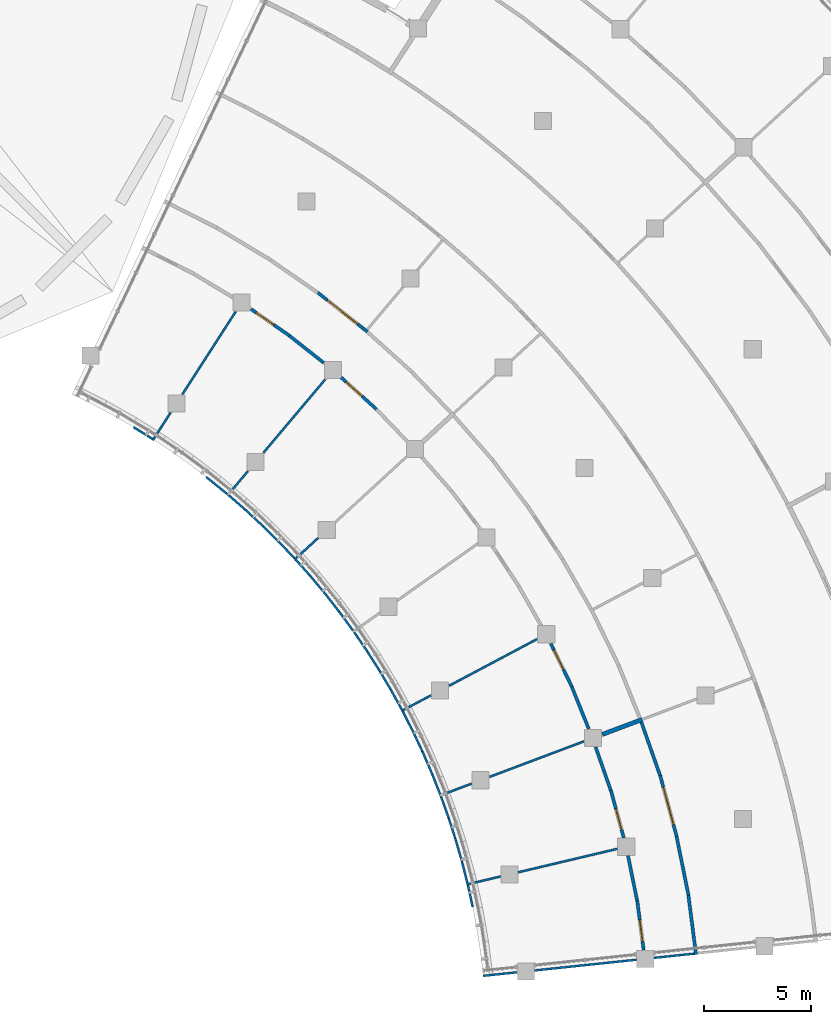
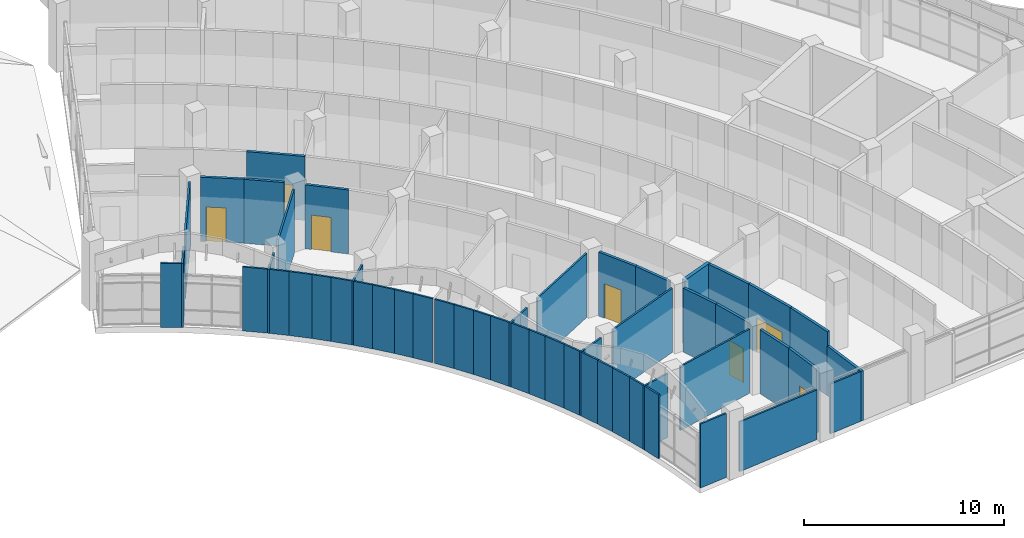
# One storey, part 65 of 137: 52 walls, 7 doors, 7 openings.
"""IFC4 building model written with IfcOpenShell, lengths in metres."""

from ifc_helpers import new_model, si_unit, direction, frame, frame_2d, origin, place, context, subcontext, project, spatial, rectangle, extrude, material, layer, layer_set, type_object, element, fill, save


model = new_model("IFC4")

# Units and contexts
model_context = context("Model", 3, precision=1e-05, world=origin(), true_north=direction((0.0, 1.0)))
body_context = subcontext(model_context, "Body", "Model", "MODEL_VIEW")
ifc_project = project(units=[si_unit("LENGTHUNIT", "METRE"), si_unit("AREAUNIT", "SQUARE_METRE"), si_unit("VOLUMEUNIT", "CUBIC_METRE"), si_unit("PLANEANGLEUNIT", "RADIAN"), si_unit("MASSUNIT", "GRAM", prefix="KILO")], contexts=[model_context])

# Site, building, storey
site_placement = place(None, origin())
site = spatial("IfcSite", under=ifc_project, at=site_placement, CompositionType="ELEMENT")
building_placement = place(site_placement, origin())
building = spatial("IfcBuilding", under=site, at=building_placement, Name="Bougainvillea Quay General Hospital", CompositionType="ELEMENT")
storey_placement = place(building_placement, frame((0.0, 0.0, 16.800048828125)))
storey = spatial("IfcBuildingStorey", under=building, at=storey_placement, Name="L03", CompositionType="ELEMENT", Elevation=16.800048828125)

# Walls
ifc_material_1 = material(Name="Gypsum board partition on steel studs", Category="steel")
ifc_layer_1 = layer(ifc_material_1, 0.10009765625)
ifc_layer_set_1 = layer_set([ifc_layer_1], Name="Gypsum board partition on steel studs")
wall_type_1 = type_object("IfcWallType", Name="Partition 100 Gypsum board partition EI 30", PredefinedType="PARTITIONING", material=ifc_layer_set_1)
wall_1_placement = place(storey_placement, frame((131.078857421875, 47.959716796875, 0.0), z_axis=(0.0, 0.0, 1.0), x_axis=(0.644403525256, 0.764685619479, 0.0)))
element("IfcWall", 1, at=wall_1_placement, inside=storey, type_object=wall_type_1, Name="Partition 100 mm EI 30", PredefinedType="PARTITIONING", context=body_context, shape_type="SweptSolid", body=[
    extrude(rectangle(XDim=1.48779296875, YDim=0.10009765625, at=frame_2d((0.743896484375, 0.0))), origin(), (0.0, 0.0, 1.0), 3.89990234375),
])
wall_2_placement = place(storey_placement, frame((132.762451171875, 49.957763671875, 0.0), z_axis=(0.0, 0.0, 1.0), x_axis=(0.644429680937, 0.76466357722, 0.0)))
element("IfcWall", 2, at=wall_2_placement, inside=storey, type_object=wall_type_1, Name="Partition 100 mm EI 30", PredefinedType="PARTITIONING", context=body_context, shape_type="SweptSolid", body=[
    extrude(rectangle(XDim=4.475341796875, YDim=0.10009765625, at=frame_2d((2.23779296875, 0.0))), origin(), (0.0, 0.0, 1.0), 3.89990234375),
])
wall_3_placement = place(storey_placement, frame((127.596923828125, 50.532958984375, 0.0), z_axis=(0.0, 0.0, 1.0), x_axis=(0.541741092646, 0.840545411348, 0.0)))
element("IfcWall", 3, at=wall_3_placement, inside=storey, type_object=wall_type_1, Name="Partition 100 mm EI 30", PredefinedType="PARTITIONING", context=body_context, shape_type="SweptSolid", body=[
    extrude(rectangle(XDim=1.542724609375, YDim=0.10009765625, at=frame_2d((0.771484375, 0.0))), origin(), (0.0, 0.0, 1.0), 3.89990234375),
])
wall_4_placement = place(storey_placement, frame((128.982666015625, 52.6826171875, 0.0), z_axis=(0.0, 0.0, 1.0), x_axis=(0.541806664818, 0.840503145716, 0.0)))
element("IfcWall", 4, at=wall_4_placement, inside=storey, type_object=wall_type_1, Name="Partition 100 mm EI 30", PredefinedType="PARTITIONING", context=body_context, shape_type="SweptSolid", body=[
    extrude(rectangle(XDim=4.58544921875, YDim=0.10009765625, at=frame_2d((2.292724609375, 0.0))), origin(), (0.0, 0.0, 1.0), 3.89990234375),
])
wall_5_placement = place(storey_placement, frame((142.2373046875, 29.819580078125, 0.0), z_axis=(0.0, 0.0, 1.0), x_axis=(0.973152848226, 0.230159800984, 0.0)))
element("IfcWall", 5, at=wall_5_placement, inside=storey, type_object=wall_type_1, Name="Partition 100 mm EI 30", PredefinedType="PARTITIONING", context=body_context, shape_type="SweptSolid", body=[
    extrude(rectangle(XDim=1.627197265625, YDim=0.10009765625, at=frame_2d((0.8134765625, 0.0))), origin(), (0.0, 0.0, 1.0), 3.89990234375),
])
wall_6_placement = place(storey_placement, frame((144.643310546875, 30.388916015625, 0.0), z_axis=(0.0, 0.0, 1.0), x_axis=(0.973139038387, 0.230218183398, 0.0)))
element("IfcWall", 6, at=wall_6_placement, inside=storey, type_object=wall_type_1, Name="Partition 100 mm EI 30", PredefinedType="PARTITIONING", context=body_context, shape_type="SweptSolid", body=[
    extrude(rectangle(XDim=4.755126953125, YDim=0.10009765625, at=frame_2d((2.37744140625, 0.0))), origin(), (0.0, 0.0, 1.0), 3.89990234375),
])
wall_7_placement = place(storey_placement, frame((139.19287109375, 37.90771484375, 0.0), z_axis=(0.0, 0.0, 1.0), x_axis=(0.883481589726, 0.468465879884, 0.0)))
element("IfcWall", 7, at=wall_7_placement, inside=storey, type_object=wall_type_1, Name="Partition 100 mm EI 30", PredefinedType="PARTITIONING", context=body_context, shape_type="SweptSolid", body=[
    extrude(rectangle(XDim=1.5712890625, YDim=0.10009765625, at=frame_2d((0.78564453125, 0.0))), origin(), (0.0, 0.0, 1.0), 3.89990234375),
])
wall_8_placement = place(storey_placement, frame((141.427001953125, 39.092529296875, 0.0), z_axis=(0.0, 0.0, 1.0), x_axis=(0.88344099274, 0.46854243388, 0.0)))
element("IfcWall", 8, at=wall_8_placement, inside=storey, type_object=wall_type_1, Name="Partition 100 mm EI 30", PredefinedType="PARTITIONING", context=body_context, shape_type="SweptSolid", body=[
    extrude(rectangle(XDim=4.64208984375, YDim=0.10009765625, at=frame_2d((2.321044921875, 0.0))), origin(), (0.0, 0.0, 1.0), 3.89990234375),
])
wall_9_placement = place(storey_placement, frame((143.012939453125, 25.555908203125, 0.0), z_axis=(0.0, 0.0, 1.0), x_axis=(0.994495375694, 0.104780473964, 0.0)))
element("IfcWall", 9, at=wall_9_placement, inside=storey, type_object=wall_type_1, Name="Partition 100 mm EI 30", PredefinedType="PARTITIONING", context=body_context, shape_type="SweptSolid", body=[
    extrude(rectangle(XDim=1.59375, YDim=0.10009765625, at=frame_2d((0.796875, 0.0))), origin(), (0.0, 0.0, 1.0), 3.89990234375),
])
wall_10_placement = place(storey_placement, frame((145.408203125, 25.80810546875, 0.0), z_axis=(0.0, 0.0, 1.0), x_axis=(0.994509645665, 0.104644945786, 0.0)))
element("IfcWall", 10, at=wall_10_placement, inside=storey, type_object=wall_type_1, Name="Partition 100 mm EI 30", PredefinedType="PARTITIONING", context=body_context, shape_type="SweptSolid", body=[
    extrude(rectangle(XDim=4.78515625, YDim=0.10009765625, at=frame_2d((2.392578125, 0.0))), origin(), (0.0, 0.0, 1.0), 3.0302734375),
])
wall_11_placement = place(storey_placement, frame((140.97314453125, 33.96044921875, 0.0), z_axis=(0.0, 0.0, 1.0), x_axis=(0.935890679388, 0.35229055655, 0.0)))
element("IfcWall", 11, at=wall_11_placement, inside=storey, type_object=wall_type_1, Name="Partition 100 mm EI 30", PredefinedType="PARTITIONING", context=body_context, shape_type="SweptSolid", body=[
    extrude(rectangle(XDim=1.604248046875, YDim=0.10009765625, at=frame_2d((0.80224609375, 0.0))), origin(), (0.0, 0.0, 1.0), 3.89990234375),
])
wall_12_placement = place(storey_placement, frame((143.309326171875, 34.839599609375, 0.0), z_axis=(0.0, 0.0, 1.0), x_axis=(0.935891610639, 0.352288082591, 0.0)))
element("IfcWall", 12, at=wall_12_placement, inside=storey, type_object=wall_type_1, Name="Partition 100 mm EI 30", PredefinedType="PARTITIONING", context=body_context, shape_type="SweptSolid", body=[
    extrude(rectangle(XDim=4.708251953125, YDim=0.10009765625, at=frame_2d((2.35400390625, 0.0))), origin(), (0.0, 0.0, 1.0), 3.89990234375),
])
wall_13_placement = place(storey_placement, frame((134.205078125, 44.964111328125, 0.0), z_axis=(0.0, 0.0, 1.0), x_axis=(0.736497059378, 0.676440745023, 0.0)))
element("IfcWall", 13, at=wall_13_placement, inside=storey, type_object=wall_type_1, Name="Partition 100 mm EI 30", PredefinedType="PARTITIONING", context=body_context, shape_type="SweptSolid", body=[
    extrude(rectangle(XDim=1.51220703125, YDim=0.10009765625, at=frame_2d((0.756103515625, 0.0))), origin(), (0.0, 0.0, 1.0), 3.89990234375),
])
wall_14_placement = place(storey_placement, frame((150.97705078125, 26.39404296875, 0.0), z_axis=(0.0, 0.0, 1.0), x_axis=(0.99450757419, 0.104664630505, 0.0)))
element("IfcWall", 14, at=wall_14_placement, inside=storey, type_object=wall_type_1, Name="Partition 100 mm EI 30", PredefinedType="PARTITIONING", context=body_context, shape_type="SweptSolid", body=[
    extrude(rectangle(XDim=1.891845703125, YDim=0.10009765625, at=frame_2d((0.94580078125, 0.0))), origin(), (0.0, 0.0, 1.0), 3.030517578125),
])
wall_15_placement = place(storey_placement, frame((130.090087890625, 48.825927734375, 0.0), z_axis=(0.0, 0.0, 1.0), x_axis=(0.776627985422, -0.629959500492, 0.0)))
element("IfcWall", 15, at=wall_15_placement, inside=storey, type_object=wall_type_1, Name="Partition 100 mm EI 30", PredefinedType="PARTITIONING", context=body_context, shape_type="SweptSolid", body=[
    extrude(rectangle(XDim=1.263427734375, YDim=0.10009765625, at=frame_2d((0.6318359375, 0.0))), origin(), (0.0, 0.0, 1.0), 3.89990234375),
])
wall_16_placement = place(storey_placement, frame((139.260009765625, 37.8857421875, 0.0), z_axis=(0.0, 0.0, 1.0), x_axis=(0.454222477174, -0.890888287738, 0.0)))
element("IfcWall", 16, at=wall_16_placement, inside=storey, type_object=wall_type_1, Name="Partition 100 mm EI 30", PredefinedType="PARTITIONING", context=body_context, shape_type="SweptSolid", body=[
    extrude(rectangle(XDim=1.084716796875, YDim=0.10009765625, at=frame_2d((0.54248046875, 0.0))), origin(), (0.0, 0.0, 1.0), 3.89990234375),
])
wall_17_placement = place(storey_placement, frame((141.705078125, 31.97314453125, 0.0), z_axis=(0.0, 0.0, 1.0), x_axis=(0.276407300439, -0.961040584088, 0.0)))
element("IfcWall", 17, at=wall_17_placement, inside=storey, type_object=wall_type_1, Name="Partition 100 mm EI 30", PredefinedType="PARTITIONING", context=body_context, shape_type="SweptSolid", body=[
    extrude(rectangle(XDim=1.185302734375, YDim=0.10009765625, at=frame_2d((0.5927734375, 0.0))), origin(), (0.0, 0.0, 1.0), 3.89990234375),
])
wall_18_placement = place(storey_placement, frame((126.702880859375, 51.14892578125, 0.0), z_axis=(0.0, 0.0, 1.0), x_axis=(0.848687049906, -0.528895350067, 0.0)))
element("IfcWall", 18, at=wall_18_placement, inside=storey, type_object=wall_type_1, Name="Partition 100 mm EI 30", PredefinedType="PARTITIONING", context=body_context, shape_type="SweptSolid", body=[
    extrude(rectangle(XDim=1.034423828125, YDim=0.10009765625, at=frame_2d((0.51708984375, 0.0))), origin(), (0.0, 0.0, 1.0), 3.89990234375),
])
for number, where, z_axis, x_axis, name in (
    (19, (133.460693359375, 45.8212890625, 0.0), (0.0, 0.0, 1.0), (0.688400207225, -0.725331065578, 0.0), "Partition 100 mm EI 30"),
    (20, (136.99365234375, 41.58203125, 0.0), (0.0, 0.0, 1.0), (0.564070256428, -0.825726798532, 0.0), "Partition 100 mm EI 30"),
):
    element("IfcWall", number, at=place(storey_placement, frame(where, z_axis=z_axis, x_axis=x_axis)), inside=storey, type_object=wall_type_1, Name=name, PredefinedType="PARTITIONING", context=body_context, shape_type="SweptSolid", body=[
        extrude(rectangle(XDim=1.084228515625, YDim=0.10009765625, at=frame_2d((0.5419921875, 0.0))), origin(), (0.0, 0.0, 1.0), 3.89990234375),
    ])
wall_19_placement = place(storey_placement, frame((134.930908203125, 44.226318359375, 0.0), z_axis=(0.0, 0.0, 1.0), x_axis=(0.639778970268, -0.768558956231, 0.0)))
element("IfcWall", 21, at=wall_19_placement, inside=storey, type_object=wall_type_1, Name="Partition 100 mm EI 30", PredefinedType="PARTITIONING", context=body_context, shape_type="SweptSolid", body=[
    extrude(rectangle(XDim=1.184814453125, YDim=0.10009765625, at=frame_2d((0.59228515625, 0.0))), origin(), (0.0, 0.0, 1.0), 3.89990234375),
])
wall_20_placement = place(storey_placement, frame((137.60302734375, 40.68701171875, 0.0), z_axis=(0.0, 0.0, 1.0), x_axis=(0.53747146193, -0.843281938388, 0.0)))
element("IfcWall", 22, at=wall_20_placement, inside=storey, type_object=wall_type_1, Name="Partition 100 mm EI 30", PredefinedType="PARTITIONING", context=body_context, shape_type="SweptSolid", body=[
    extrude(rectangle(XDim=1.08642578125, YDim=0.10009765625, at=frame_2d((0.543212890625, 0.0))), origin(), (0.0, 0.0, 1.0), 3.89990234375),
])
for number, where, z_axis, x_axis, name in (
    (23, (138.68896484375, 38.9248046875, 0.0), (0.0, 0.0, 1.0), (0.482886802116, -0.875682782942, 0.0), "Partition 100 mm EI 30"),
    (24, (136.29541015625, 42.540283203125, 0.0), (0.0, 0.0, 1.0), (0.590044821415, -0.807370490371, 0.0), "Partition 100 mm EI 30"),
):
    element("IfcWall", number, at=place(storey_placement, frame(where, z_axis=z_axis, x_axis=x_axis)), inside=storey, type_object=wall_type_1, Name=name, PredefinedType="PARTITIONING", context=body_context, shape_type="SweptSolid", body=[
        extrude(rectangle(XDim=1.083984375, YDim=0.10009765625, at=frame_2d((0.5419921875, 0.0))), origin(), (0.0, 0.0, 1.0), 3.89990234375),
    ])
for number, where, z_axis, x_axis, name in (
    (25, (140.172119140625, 36.02880859375, 0.0), (0.0, 0.0, 1.0), (0.396479436871, -0.918043602526, 0.0), "Partition 100 mm EI 30"),
    (26, (131.892333984375, 47.320068359375, 0.0), (0.0, 0.0, 1.0), (0.732793491626, -0.680451099367, 0.0), "Partition 100 mm EI 30"),
):
    element("IfcWall", number, at=place(storey_placement, frame(where, z_axis=z_axis, x_axis=x_axis)), inside=storey, type_object=wall_type_1, Name=name, PredefinedType="PARTITIONING", context=body_context, shape_type="SweptSolid", body=[
        extrude(rectangle(XDim=1.184814453125, YDim=0.10009765625, at=frame_2d((0.59228515625, 0.0))), origin(), (0.0, 0.0, 1.0), 3.89990234375),
    ])
wall_21_placement = place(storey_placement, frame((132.75830078125, 46.513916015625, 0.0), z_axis=(0.0, 0.0, 1.0), x_axis=(0.710804317615, -0.703389808043, 0.0)))
element("IfcWall", 27, at=wall_21_placement, inside=storey, type_object=wall_type_1, Name="Partition 100 mm EI 30", PredefinedType="PARTITIONING", context=body_context, shape_type="SweptSolid", body=[
    extrude(rectangle(XDim=0.98779296875, YDim=0.10009765625, at=frame_2d((0.493896484375, 0.0))), origin(), (0.0, 0.0, 1.0), 3.89990234375),
])
wall_22_placement = place(storey_placement, frame((140.639892578125, 34.94189453125, 0.0), z_axis=(0.0, 0.0, 1.0), x_axis=(0.366901413892, -0.93025983063, 0.0)))
element("IfcWall", 28, at=wall_22_placement, inside=storey, type_object=wall_type_1, Name="Partition 100 mm EI 30", PredefinedType="PARTITIONING", context=body_context, shape_type="SweptSolid", body=[
    extrude(rectangle(XDim=0.985595703125, YDim=0.10009765625, at=frame_2d((0.49267578125, 0.0))), origin(), (0.0, 0.0, 1.0), 3.89990234375),
])
wall_23_placement = place(storey_placement, frame((141.037109375, 33.93017578125, 0.0), z_axis=(0.0, 0.0, 1.0), x_axis=(0.337434932816, -0.941348854631, 0.0)))
element("IfcWall", 29, at=wall_23_placement, inside=storey, type_object=wall_type_1, Name="Partition 100 mm EI 30", PredefinedType="PARTITIONING", context=body_context, shape_type="SweptSolid", body=[
    extrude(rectangle(XDim=1.083740234375, YDim=0.10009765625, at=frame_2d((0.5419921875, 0.0))), origin(), (0.0, 0.0, 1.0), 3.89990234375),
])
wall_24_placement = place(storey_placement, frame((131.1494140625, 47.964599609375, 0.0), z_axis=(0.0, 0.0, 1.0), x_axis=(0.75424788942, -0.656589766373, 0.0)))
element("IfcWall", 30, at=wall_24_placement, inside=storey, type_object=wall_type_1, Name="Partition 100 mm EI 30", PredefinedType="PARTITIONING", context=body_context, shape_type="SweptSolid", body=[
    extrude(rectangle(XDim=0.98486328125, YDim=0.10009765625, at=frame_2d((0.492431640625, 0.0))), origin(), (0.0, 0.0, 1.0), 3.89990234375),
])
wall_25_placement = place(storey_placement, frame((134.27587890625, 44.960205078125, 0.0), z_axis=(0.0, 0.0, 1.0), x_axis=(0.66477897218, -0.747040104779, 0.0)))
element("IfcWall", 31, at=wall_25_placement, inside=storey, type_object=wall_type_1, Name="Partition 100 mm EI 30", PredefinedType="PARTITIONING", context=body_context, shape_type="SweptSolid", body=[
    extrude(rectangle(XDim=0.9853515625, YDim=0.10009765625, at=frame_2d((0.49267578125, 0.0))), origin(), (0.0, 0.0, 1.0), 3.89990234375),
])
wall_26_placement = place(storey_placement, frame((141.40087890625, 32.910888671875, 0.0), z_axis=(0.0, 0.0, 1.0), x_axis=(0.307089469025, -0.951680649175, 0.0)))
element("IfcWall", 32, at=wall_26_placement, inside=storey, type_object=wall_type_1, Name="Partition 100 mm EI 30", PredefinedType="PARTITIONING", context=body_context, shape_type="SweptSolid", body=[
    extrude(rectangle(XDim=0.9873046875, YDim=0.10009765625, at=frame_2d((0.49365234375, 0.0))), origin(), (0.0, 0.0, 1.0), 3.89990234375),
])
wall_27_placement = place(storey_placement, frame((142.031005859375, 30.8349609375, 0.0), z_axis=(0.0, 0.0, 1.0), x_axis=(0.246091023995, -0.969246721898, 0.0)))
element("IfcWall", 33, at=wall_27_placement, inside=storey, type_object=wall_type_1, Name="Partition 100 mm EI 30", PredefinedType="PARTITIONING", context=body_context, shape_type="SweptSolid", body=[
    extrude(rectangle(XDim=0.985107421875, YDim=0.10009765625, at=frame_2d((0.49267578125, 0.0))), origin(), (0.0, 0.0, 1.0), 3.89990234375),
])
wall_28_placement = place(storey_placement, frame((139.750732421875, 36.920166015625, 0.0), z_axis=(0.0, 0.0, 1.0), x_axis=(0.426023266387, -0.904712206448, 0.0)))
element("IfcWall", 34, at=wall_28_placement, inside=storey, type_object=wall_type_1, Name="Partition 100 mm EI 30", PredefinedType="PARTITIONING", context=body_context, shape_type="SweptSolid", body=[
    extrude(rectangle(XDim=0.9873046875, YDim=0.10009765625, at=frame_2d((0.49365234375, 0.0))), origin(), (0.0, 0.0, 1.0), 3.89990234375),
])
wall_29_placement = place(storey_placement, frame((142.296875, 29.781494140625, 0.0), z_axis=(0.0, 0.0, 1.0), x_axis=(0.214929366895, -0.976629595725, 0.0)))
element("IfcWall", 35, at=wall_29_placement, inside=storey, type_object=wall_type_1, Name="Partition 100 mm EI 30", PredefinedType="PARTITIONING", context=body_context, shape_type="SweptSolid", body=[
    extrude(rectangle(XDim=1.03369140625, YDim=0.10009765625, at=frame_2d((0.516845703125, 0.0))), origin(), (0.0, 0.0, 1.0), 3.89990234375),
])
wall_30_placement = place(storey_placement, frame((135.68701171875, 43.31591796875, 0.0), z_axis=(0.0, 0.0, 1.0), x_axis=(0.615941497949, -0.787791895811, 0.0)))
element("IfcWall", 36, at=wall_30_placement, inside=storey, type_object=wall_type_1, Name="Partition 100 mm EI 30", PredefinedType="PARTITIONING", context=body_context, shape_type="SweptSolid", body=[
    extrude(rectangle(XDim=0.9873046875, YDim=0.10009765625, at=frame_2d((0.49365234375, 0.0))), origin(), (0.0, 0.0, 1.0), 3.89990234375),
])
wall_31_placement = place(storey_placement, frame((138.184814453125, 39.771240234375, 0.0), z_axis=(0.0, 0.0, 1.0), x_axis=(0.51019570921, -0.860058334245, 0.0)))
element("IfcWall", 37, at=wall_31_placement, inside=storey, type_object=wall_type_1, Name="Partition 100 mm EI 30", PredefinedType="PARTITIONING", context=body_context, shape_type="SweptSolid", body=[
    extrude(rectangle(XDim=0.98681640625, YDim=0.10009765625, at=frame_2d((0.493408203125, 0.0))), origin(), (0.0, 0.0, 1.0), 3.89990234375),
])

# Wall, opening, door
ifc_material_2 = material(Name="Gypsum board partition on steel studs, insulated", Category="steel")
ifc_layer_2 = layer(ifc_material_2, 0.14990234375)
ifc_layer_set_2 = layer_set([ifc_layer_2], Name="Gypsum board partition on steel studs, insulated")
wall_type_2 = type_object("IfcWallType", Name="Partition 150 Gypsum board partition EI 30", PredefinedType="PARTITIONING", material=ifc_layer_set_2)
wall_32_placement = place(storey_placement, frame((135.293212890625, 57.430419921875, 0.0), z_axis=(0.0, 0.0, 1.0), x_axis=(0.785039104315, -0.619446208073, 0.0)))
wall_32 = element("IfcWall", 38, at=wall_32_placement, inside=storey, type_object=wall_type_2, Name="Partition 150 mm EI 30", PredefinedType="PARTITIONING", context=body_context, shape_type="SweptSolid", body=[
    extrude(rectangle(XDim=2.95751953125, YDim=0.14990234375, at=frame_2d((1.478759765625, 0.0))), origin(), (0.0, 0.0, 1.0), 3.89990234375),
])
opening_1_placement = place(wall_32_placement, frame((0.57861328125, 0.0, 0.0)))
opening_1 = element("IfcOpeningElement", 39, at=opening_1_placement, cuts=wall_32, Name="Opening L03.148", PredefinedType="OPENING", context=body_context, shape_type="SweptSolid", body=[
    extrude(rectangle(XDim=1.800048828125, YDim=2.10009765625, at=frame_2d((0.89990234375, 1.050048828125))), frame((0.0, 0.0849609375, 0.0), z_axis=(0.0, -1.0, 0.0), x_axis=(1.0, 0.0, 0.0)), (0.0, 0.0, 1.0), 0.169921875),
])
ifc_material_3 = material(Name="Solid-core timber door leaves in steel frame", Category="steel")
door_type_1 = type_object("IfcDoorType", Name="Double leaf door 1800x2100", OperationType="DOUBLE_DOOR_SINGLE_SWING", PredefinedType="DOOR", material=ifc_material_3)
door_1_placement = place(opening_1_placement, frame((1.800048828125, 0.0, 0.0), z_axis=(0.0, 0.0, 1.0), x_axis=(-1.0, 0.0, 0.0)))
door_1 = element("IfcDoor", 40, at=door_1_placement, inside=storey, type_object=door_type_1, Name="DT08 L03.148", OperationType="DOUBLE_DOOR_SINGLE_SWING", OverallHeight=2.10009765625, OverallWidth=1.800048828125, PredefinedType="DOOR", context=body_context, shape_type="SweptSolid", body=[
    extrude(rectangle(XDim=1.800048828125, YDim=2.10009765625, at=frame_2d((0.89990234375, 1.050048828125))), frame((0.0, 0.02490234375, 0.0), z_axis=(0.0, -1.0, 0.0), x_axis=(1.0, 0.0, 0.0)), (0.0, 0.0, 1.0), 0.050048828125),
])
fill(opening_1, door_1)

wall_33_placement = place(storey_placement, frame((151.264404296875, 34.91650390625, 0.0), z_axis=(0.0, 0.0, 1.0), x_axis=(0.261098222271, -0.965312238774, 0.0)))
wall_33 = element("IfcWall", 41, at=wall_33_placement, inside=storey, type_object=wall_type_2, Name="Partition 150 mm EI 30", PredefinedType="PARTITIONING", context=body_context, shape_type="SweptSolid", body=[
    extrude(rectangle(XDim=2.95751953125, YDim=0.14990234375, at=frame_2d((1.478759765625, 0.0))), origin(), (0.0, 0.0, 1.0), 3.89990234375),
])
opening_2_placement = place(wall_33_placement, frame((0.57861328125, 0.0, 0.0)))
opening_2 = element("IfcOpeningElement", 42, at=opening_2_placement, cuts=wall_33, Name="Opening L03.150", PredefinedType="OPENING", context=body_context, shape_type="SweptSolid", body=[
    extrude(rectangle(XDim=1.800048828125, YDim=2.10009765625, at=frame_2d((0.89990234375, 1.050048828125))), frame((0.0, 0.0849609375, 0.0), z_axis=(0.0, -1.0, 0.0), x_axis=(1.0, 0.0, 0.0)), (0.0, 0.0, 1.0), 0.169921875),
])
door_2_placement = place(opening_2_placement, frame((1.800048828125, 0.0, 0.0), z_axis=(0.0, 0.0, 1.0), x_axis=(-1.0, 0.0, 0.0)))
door_2 = element("IfcDoor", 43, at=door_2_placement, inside=storey, type_object=door_type_1, Name="DT08 L03.150", OperationType="DOUBLE_DOOR_SINGLE_SWING", OverallHeight=2.10009765625, OverallWidth=1.800048828125, PredefinedType="DOOR", context=body_context, shape_type="SweptSolid", body=[
    extrude(rectangle(XDim=1.800048828125, YDim=2.10009765625, at=frame_2d((0.89990234375, 1.050048828125))), frame((0.0, 0.02490234375, 0.0), z_axis=(0.0, -1.0, 0.0), x_axis=(1.0, 0.0, 0.0)), (0.0, 0.0, 1.0), 0.050048828125),
])
fill(opening_2, door_2)

# Walls
wall_34_placement = place(storey_placement, frame((152.031005859375, 32.06494140625, 0.0), z_axis=(0.0, 0.0, 1.0), x_axis=(0.199104225367, -0.979978319883, 0.0)))
element("IfcWall", 44, at=wall_34_placement, inside=storey, type_object=wall_type_2, Name="Partition 150 mm EI 30", PredefinedType="PARTITIONING", context=body_context, shape_type="SweptSolid", body=[
    extrude(rectangle(XDim=2.811767578125, YDim=0.14990234375, at=frame_2d((1.40576171875, 0.0))), origin(), (0.0, 0.0, 1.0), 3.89990234375),
])
wall_35_placement = place(storey_placement, frame((152.5849609375, 29.313720703125, 0.0), z_axis=(0.0, 0.0, 1.0), x_axis=(0.127582082385, -0.991828015462, 0.0)))
element("IfcWall", 45, at=wall_35_placement, inside=storey, type_object=wall_type_2, Name="Partition 150 mm EI 30", PredefinedType="PARTITIONING", context=body_context, shape_type="SweptSolid", body=[
    extrude(rectangle(XDim=2.7861328125, YDim=0.14990234375, at=frame_2d((1.39306640625, 0.0))), origin(), (0.0, 0.0, 1.0), 3.030517578125),
])
wall_36_placement = place(storey_placement, frame((150.3896484375, 37.39599609375, 0.0), z_axis=(0.0, 0.0, 1.0), x_axis=(0.330759074405, -0.943715229663, 0.0)))
element("IfcWall", 46, at=wall_36_placement, inside=storey, type_object=wall_type_2, Name="Partition 150 mm EI 30", PredefinedType="PARTITIONING", context=body_context, shape_type="SweptSolid", body=[
    extrude(rectangle(XDim=2.63427734375, YDim=0.14990234375, at=frame_2d((1.317138671875, 0.0))), origin(), (0.0, 0.0, 1.0), 3.89990234375),
])

# Wall, opening, door
wall_37_placement = place(storey_placement, frame((146.162841796875, 41.059814453125, 0.0), z_axis=(0.0, 0.0, 1.0), x_axis=(0.439946079235, -0.898024190858, 0.0)))
wall_37 = element("IfcWall", 47, at=wall_37_placement, inside=storey, type_object=wall_type_2, Name="Partition 150 mm EI 30", PredefinedType="PARTITIONING", context=body_context, shape_type="SweptSolid", body=[
    extrude(rectangle(XDim=2.24853515625, YDim=0.14990234375, at=frame_2d((1.124267578125, 0.0))), origin(), (0.0, 0.0, 1.0), 3.89990234375),
])
opening_3_placement = place(wall_37_placement, frame((0.345947265625, 0.0, 0.0)))
opening_3 = element("IfcOpeningElement", 48, at=opening_3_placement, cuts=wall_37, Name="Opening L03.194", PredefinedType="OPENING", context=body_context, shape_type="SweptSolid", body=[
    extrude(rectangle(XDim=1.0, YDim=2.10009765625, at=frame_2d((0.5, 1.050048828125))), frame((0.0, 0.0849609375, 0.0), z_axis=(0.0, -1.0, 0.0), x_axis=(1.0, 0.0, 0.0)), (0.0, 0.0, 1.0), 0.169921875),
])
ifc_material_4 = material(Name="Solid-core timber door leaf in steel frame", Category="steel")
door_type_2 = type_object("IfcDoorType", Name="Single leaf door 1000x2100 FD30S", OperationType="NOTDEFINED", PredefinedType="DOOR", material=ifc_material_4)
door_3_placement = place(opening_3_placement, frame((1.0, 0.0, 0.0), z_axis=(0.0, 0.0, 1.0), x_axis=(-1.0, 0.0, 0.0)))
door_3 = element("IfcDoor", 49, at=door_3_placement, inside=storey, type_object=door_type_2, Name="DT15 L03.194", OperationType="SINGLE_SWING_RIGHT", OverallHeight=2.10009765625, OverallWidth=1.0, PredefinedType="DOOR", context=body_context, shape_type="SweptSolid", body=[
    extrude(rectangle(XDim=1.0, YDim=2.10009765625, at=frame_2d((0.5, 1.050048828125))), frame((0.0, 0.02490234375, 0.0), z_axis=(0.0, -1.0, 0.0), x_axis=(1.0, 0.0, 0.0)), (0.0, 0.0, 1.0), 0.050048828125),
])
fill(opening_3, door_3)

wall_38_placement = place(storey_placement, frame((136.39306640625, 53.464599609375, 0.0), z_axis=(0.0, 0.0, 1.0), x_axis=(0.743617683722, -0.668605070618, 0.0)))
wall_38 = element("IfcWall", 50, at=wall_38_placement, inside=storey, type_object=wall_type_2, Name="Partition 150 mm EI 30", PredefinedType="PARTITIONING", context=body_context, shape_type="SweptSolid", body=[
    extrude(rectangle(XDim=2.213134765625, YDim=0.14990234375, at=frame_2d((1.1064453125, 0.0))), origin(), (0.0, 0.0, 1.0), 3.89990234375),
])
opening_4_placement = place(wall_38_placement, frame((0.310791015625, 0.0, 0.0)))
opening_4 = element("IfcOpeningElement", 51, at=opening_4_placement, cuts=wall_38, Name="Opening L03.190", PredefinedType="OPENING", context=body_context, shape_type="SweptSolid", body=[
    extrude(rectangle(XDim=1.0, YDim=2.10009765625, at=frame_2d((0.5, 1.050048828125))), frame((0.0, 0.0849609375, 0.0), z_axis=(0.0, -1.0, 0.0), x_axis=(1.0, 0.0, 0.0)), (0.0, 0.0, 1.0), 0.169921875),
])
door_4_placement = place(opening_4_placement, frame((1.0, 0.0, 0.0), z_axis=(0.0, 0.0, 1.0), x_axis=(-1.0, 0.0, 0.0)))
door_4 = element("IfcDoor", 52, at=door_4_placement, inside=storey, type_object=door_type_2, Name="DT15 L03.190", OperationType="SINGLE_SWING_RIGHT", OverallHeight=2.10009765625, OverallWidth=1.0, PredefinedType="DOOR", context=body_context, shape_type="SweptSolid", body=[
    extrude(rectangle(XDim=1.0, YDim=2.10009765625, at=frame_2d((0.5, 1.050048828125))), frame((0.0, 0.02490234375, 0.0), z_axis=(0.0, -1.0, 0.0), x_axis=(1.0, 0.0, 0.0)), (0.0, 0.0, 1.0), 0.050048828125),
])
fill(opening_4, door_4)

wall_39_placement = place(storey_placement, frame((132.183837890625, 56.65771484375, 0.0), z_axis=(0.0, 0.0, 1.0), x_axis=(0.82273696549, -0.568422277551, 0.0)))
wall_39 = element("IfcWall", 53, at=wall_39_placement, inside=storey, type_object=wall_type_2, Name="Partition 150 mm EI 30", PredefinedType="PARTITIONING", context=body_context, shape_type="SweptSolid", body=[
    extrude(rectangle(XDim=2.192626953125, YDim=0.14990234375, at=frame_2d((1.09619140625, 0.0))), origin(), (0.0, 0.0, 1.0), 3.89990234375),
])
opening_5_placement = place(wall_39_placement, frame((0.290283203125, 0.0, 0.0)))
opening_5 = element("IfcOpeningElement", 54, at=opening_5_placement, cuts=wall_39, Name="Opening L03.189", PredefinedType="OPENING", context=body_context, shape_type="SweptSolid", body=[
    extrude(rectangle(XDim=1.0, YDim=2.10009765625, at=frame_2d((0.5, 1.050048828125))), frame((0.0, 0.0849609375, 0.0), z_axis=(0.0, -1.0, 0.0), x_axis=(1.0, 0.0, 0.0)), (0.0, 0.0, 1.0), 0.169921875),
])
door_5_placement = place(opening_5_placement, frame((1.0, 0.0, 0.0), z_axis=(0.0, 0.0, 1.0), x_axis=(-1.0, 0.0, 0.0)))
door_5 = element("IfcDoor", 55, at=door_5_placement, inside=storey, type_object=door_type_2, Name="DT15 L03.189", OperationType="SINGLE_SWING_RIGHT", OverallHeight=2.10009765625, OverallWidth=1.0, PredefinedType="DOOR", context=body_context, shape_type="SweptSolid", body=[
    extrude(rectangle(XDim=1.0, YDim=2.10009765625, at=frame_2d((0.5, 1.050048828125))), frame((0.0, 0.02490234375, 0.0), z_axis=(0.0, -1.0, 0.0), x_axis=(1.0, 0.0, 0.0)), (0.0, 0.0, 1.0), 0.050048828125),
])
fill(opening_5, door_5)

wall_40_placement = place(storey_placement, frame((148.968505859375, 34.21533203125, 0.0), z_axis=(0.0, 0.0, 1.0), x_axis=(0.26138863195, -0.965233641709, 0.0)))
wall_40 = element("IfcWall", 56, at=wall_40_placement, inside=storey, type_object=wall_type_2, Name="Partition 150 mm EI 30", PredefinedType="PARTITIONING", context=body_context, shape_type="SweptSolid", body=[
    extrude(rectangle(XDim=2.294921875, YDim=0.14990234375, at=frame_2d((1.1474609375, 0.0))), origin(), (0.0, 0.0, 1.0), 3.89990234375),
])
opening_6_placement = place(wall_40_placement, frame((0.902099609375, 0.0, 0.0)))
opening_6 = element("IfcOpeningElement", 57, at=opening_6_placement, cuts=wall_40, Name="Opening L03.195", PredefinedType="OPENING", context=body_context, shape_type="SweptSolid", body=[
    extrude(rectangle(XDim=1.0, YDim=2.10009765625, at=frame_2d((0.5, 1.050048828125))), frame((0.0, 0.0849609375, 0.0), z_axis=(0.0, -1.0, 0.0), x_axis=(1.0, 0.0, 0.0)), (0.0, 0.0, 1.0), 0.169921875),
])
door_6_placement = place(opening_6_placement, frame((1.0, 0.0, 0.0), z_axis=(0.0, 0.0, 1.0), x_axis=(-1.0, 0.0, 0.0)))
door_6 = element("IfcDoor", 58, at=door_6_placement, inside=storey, type_object=door_type_2, Name="DT15 L03.195", OperationType="SINGLE_SWING_LEFT", OverallHeight=2.10009765625, OverallWidth=1.0, PredefinedType="DOOR", context=body_context, shape_type="SweptSolid", body=[
    extrude(rectangle(XDim=1.0, YDim=2.10009765625, at=frame_2d((0.5, 1.050048828125))), frame((0.0, 0.02490234375, 0.0), z_axis=(0.0, -1.0, 0.0), x_axis=(1.0, 0.0, 0.0)), (0.0, 0.0, 1.0), 0.050048828125),
])
fill(opening_6, door_6)

wall_41_placement = place(storey_placement, frame((150.200439453125, 29.055419921875, 0.0), z_axis=(0.0, 0.0, 1.0), x_axis=(0.127773812466, -0.991803333755, 0.0)))
wall_41 = element("IfcWall", 59, at=wall_41_placement, inside=storey, type_object=wall_type_2, Name="Partition 150 mm EI 30", PredefinedType="PARTITIONING", context=body_context, shape_type="SweptSolid", body=[
    extrude(rectangle(XDim=2.31396484375, YDim=0.14990234375, at=frame_2d((1.156982421875, 0.0))), origin(), (0.0, 0.0, 1.0), 3.89990234375),
])
opening_7_placement = place(wall_41_placement, frame((0.90185546875, 0.0, 0.0)))
opening_7 = element("IfcOpeningElement", 60, at=opening_7_placement, cuts=wall_41, Name="Opening L03.196", PredefinedType="OPENING", context=body_context, shape_type="SweptSolid", body=[
    extrude(rectangle(XDim=1.0, YDim=2.10009765625, at=frame_2d((0.5, 1.050048828125))), frame((0.0, 0.0849609375, 0.0), z_axis=(0.0, -1.0, 0.0), x_axis=(1.0, 0.0, 0.0)), (0.0, 0.0, 1.0), 0.169921875),
])
door_7_placement = place(opening_7_placement, frame((1.0, 0.0, 0.0), z_axis=(0.0, 0.0, 1.0), x_axis=(-1.0, 0.0, 0.0)))
door_7 = element("IfcDoor", 61, at=door_7_placement, inside=storey, type_object=door_type_2, Name="DT15 L03.196", OperationType="SINGLE_SWING_LEFT", OverallHeight=2.10009765625, OverallWidth=1.0, PredefinedType="DOOR", context=body_context, shape_type="SweptSolid", body=[
    extrude(rectangle(XDim=1.0, YDim=2.10009765625, at=frame_2d((0.5, 1.050048828125))), frame((0.0, 0.02490234375, 0.0), z_axis=(0.0, -1.0, 0.0), x_axis=(1.0, 0.0, 0.0)), (0.0, 0.0, 1.0), 0.050048828125),
])
fill(opening_7, door_7)

# Walls
wall_42_placement = place(storey_placement, frame((133.981201171875, 55.410400390625, 0.0), z_axis=(0.0, 0.0, 1.0), x_axis=(0.784968928218, -0.619535133574, 0.0)))
element("IfcWall", 62, at=wall_42_placement, inside=storey, type_object=wall_type_2, Name="Partition 150 mm EI 30", PredefinedType="PARTITIONING", context=body_context, shape_type="SweptSolid", body=[
    extrude(rectangle(XDim=2.03076171875, YDim=0.14990234375, at=frame_2d((1.015380859375, 0.0))), origin(), (0.0, 0.0, 1.0), 3.89990234375),
])
wall_43_placement = place(storey_placement, frame((147.14501953125, 39.043212890625, 0.0), z_axis=(0.0, 0.0, 1.0), x_axis=(0.373899406404, -0.927469263043, 0.0)))
element("IfcWall", 63, at=wall_43_placement, inside=storey, type_object=wall_type_2, Name="Partition 150 mm EI 30", PredefinedType="PARTITIONING", context=body_context, shape_type="SweptSolid", body=[
    extrude(rectangle(XDim=2.113037109375, YDim=0.14990234375, at=frame_2d((1.056640625, 0.0))), origin(), (0.0, 0.0, 1.0), 3.89990234375),
])
wall_44_placement = place(storey_placement, frame((148.256591796875, 36.231689453125, 0.0), z_axis=(0.0, 0.0, 1.0), x_axis=(0.330477279651, -0.943813947574, 0.0)))
element("IfcWall", 64, at=wall_44_placement, inside=storey, type_object=wall_type_2, Name="Partition 150 mm EI 30", PredefinedType="PARTITIONING", context=body_context, shape_type="SweptSolid", body=[
    extrude(rectangle(XDim=2.14306640625, YDim=0.14990234375, at=frame_2d((1.071533203125, 0.0))), origin(), (0.0, 0.0, 1.0), 3.89990234375),
])
wall_45_placement = place(storey_placement, frame((149.76611328125, 31.16650390625, 0.0), z_axis=(0.0, 0.0, 1.0), x_axis=(0.199027700979, -0.97999386439, 0.0)))
element("IfcWall", 65, at=wall_45_placement, inside=storey, type_object=wall_type_2, Name="Partition 150 mm EI 30", PredefinedType="PARTITIONING", context=body_context, shape_type="SweptSolid", body=[
    extrude(rectangle(XDim=2.16015625, YDim=0.14990234375, at=frame_2d((1.080078125, 0.0))), origin(), (0.0, 0.0, 1.0), 3.89990234375),
])
ifc_material_5 = material(Name="Fire-rated autoclaved aerated block wall, plastered")
ifc_layer_3 = layer(ifc_material_5, 0.199951171875)
ifc_layer_set_3 = layer_set([ifc_layer_3], Name="Fire-rated autoclaved aerated block wall, plastered")
wall_type_3 = type_object("IfcWallType", Name="Partition 200 Fire-rated autoclaved aerated block wall EI 120", PredefinedType="SOLIDWALL", material=ifc_layer_set_3)
wall_46_placement = place(storey_placement, frame((148.5673828125, 36.81884765625, 0.0), z_axis=(0.0, 0.0, 1.0), x_axis=(0.935934561344, 0.352173958268, 0.0)))
element("IfcWall", 66, at=wall_46_placement, inside=storey, type_object=wall_type_3, Name="Partition 200 mm EI 120", PredefinedType="SOLIDWALL", context=body_context, shape_type="SweptSolid", body=[
    extrude(rectangle(XDim=1.986083984375, YDim=0.199951171875, at=frame_2d((0.9931640625, 0.0))), origin(), (0.0, 0.0, 1.0), 3.89990234375),
])

save(model, "model.ifc")
